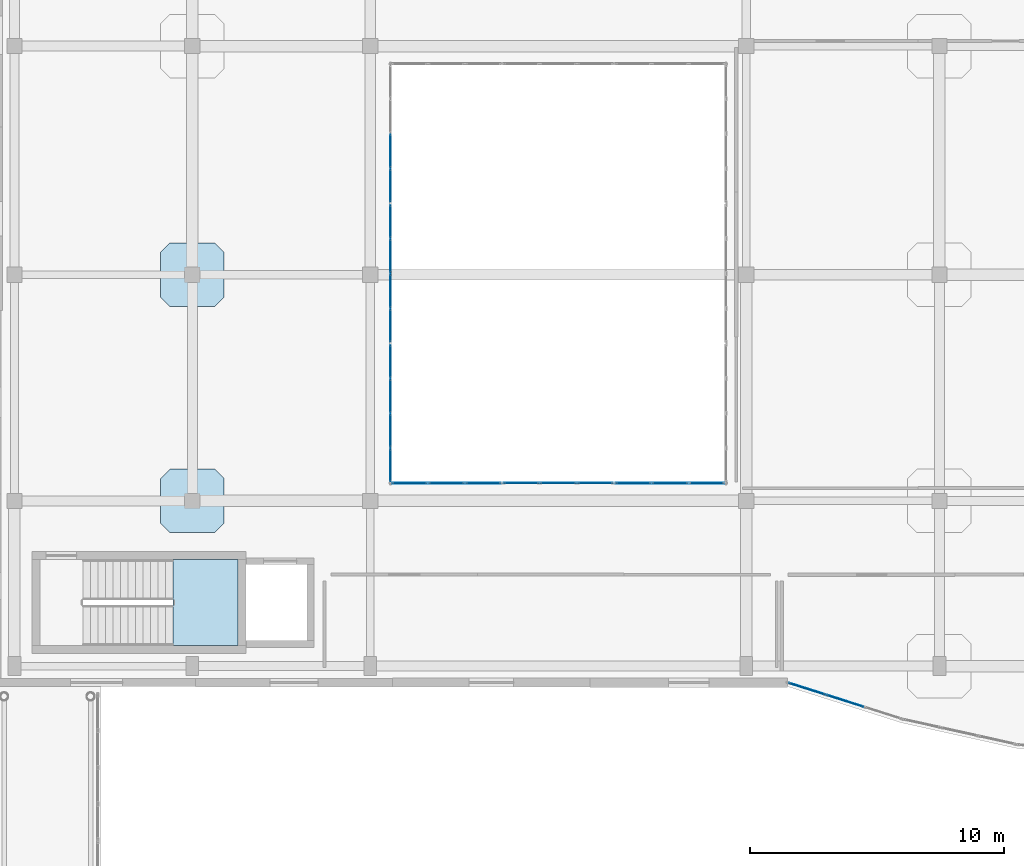
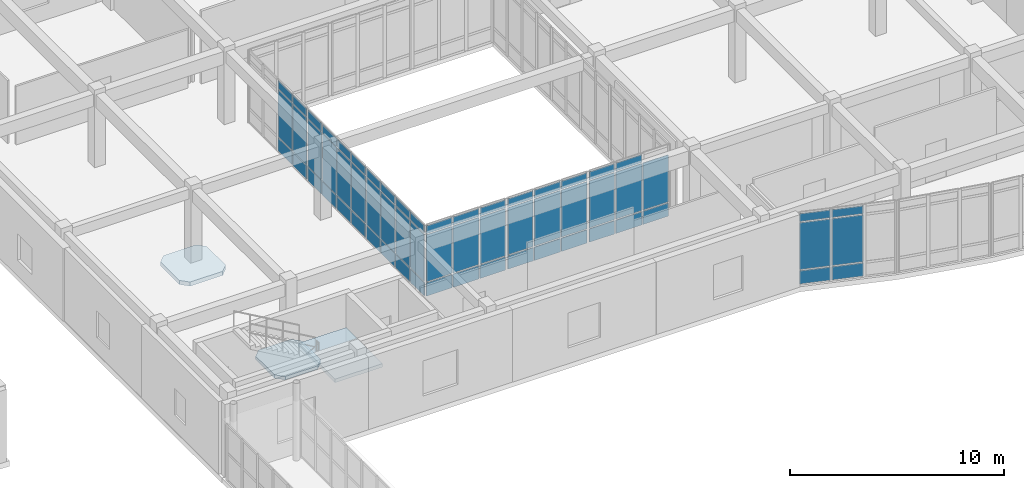
# One storey, part 110 of 142: 62 plates, 3 slabs, 8 elements without a shape of their own.
"""IFC4 building model written with IfcOpenShell, lengths in metres."""

import ifcopenshell
import ifcopenshell.guid

model = None  # the IFC model being written
_history = None  # IfcOwnerHistory: only IFC2X3 demands one
_inside = {}  # id of a spatial element -> (the spatial element, [elements in it])
_under = {}  # id of a project, library or spatial element -> (it, [spatial elements below it])
_declared = {}  # id of a project -> (the project, [libraries it declares])
_typed = {}  # id of a type object -> (the type object, [elements of that type])
_made_of = {}  # id of a material, layer set ... -> (it, [elements and type objects made of it])


def new_model(schema):
    """Start an empty IFC model of exactly this schema.

    Asked for "IFC4X3", IfcOpenShell would pick the latest addendum, in which some entities
    have other attributes; the version numbers below select the first issue.
    IFC2X3 requires an IfcOwnerHistory on every rooted entity: one is made here for all.
    """
    global model, _history
    if schema == "IFC4X3":
        model = ifcopenshell.file(schema_version=(4, 3, 0, 0))
    else:
        model = ifcopenshell.file(schema=schema)
    _inside.clear()
    _under.clear()
    _declared.clear()
    _typed.clear()
    _made_of.clear()
    _history = None
    if model.schema == "IFC2X3":
        org = make("IfcOrganization", Name="unknown")
        user = make(
            "IfcPersonAndOrganization",
            ThePerson=make("IfcPerson", FamilyName="unknown"),
            TheOrganization=org,
        )
        app = make(
            "IfcApplication",
            ApplicationDeveloper=org,
            Version="unknown",
            ApplicationFullName="unknown",
            ApplicationIdentifier="unknown",
        )
        _history = make(
            "IfcOwnerHistory",
            OwningUser=user,
            OwningApplication=app,
            ChangeAction="ADDED",
            CreationDate=0,
        )
    return model


def make(cls, **values):
    """One entity of the class cls with the attributes given. An attribute that is None is left unset."""
    return model.create_entity(
        cls, **{name: value for name, value in values.items() if value is not None}
    )


def rooted(cls, **values):
    """An entity with a GlobalId (a new one), such as an element, a storey or a relation."""
    return make(cls, GlobalId=ifcopenshell.guid.new(), OwnerHistory=_history, **values)


def si_unit(unit_type, name, prefix=None):
    """IfcSIUnit, for example si_unit("LENGTHUNIT", "METRE", prefix="MILLI")."""
    return make("IfcSIUnit", UnitType=unit_type, Prefix=prefix, Name=name)


def assignment(units):
    """IfcUnitAssignment: the units of a project."""
    return None if units is None else make("IfcUnitAssignment", Units=units)


def point(xyz):
    """IfcCartesianPoint."""
    return None if xyz is None else make("IfcCartesianPoint", Coordinates=xyz)


def direction(xyz):
    """IfcDirection."""
    return None if xyz is None else make("IfcDirection", DirectionRatios=xyz)


def frame(location, z_axis=None, x_axis=None):
    """IfcAxis2Placement3D, a coordinate frame: its origin and axes. An axis left out is left unset."""
    return make(
        "IfcAxis2Placement3D",
        Location=point(location),
        Axis=direction(z_axis),
        RefDirection=direction(x_axis),
    )


def frame_2d(location, x_axis=None):
    """IfcAxis2Placement2D, a coordinate frame in the plane: its origin and x axis."""
    return make(
        "IfcAxis2Placement2D", Location=point(location), RefDirection=direction(x_axis)
    )


def origin():
    """The frame at (0, 0, 0) with its axes left unset."""
    return frame((0.0, 0.0, 0.0))


def origin_2d():
    """The frame at (0, 0) in the plane with its x axis left unset."""
    return frame_2d((0.0, 0.0))


def place(relative_to, where):
    """IfcLocalPlacement: puts the frame where relative to a parent placement (None: the world)."""
    return make(
        "IfcLocalPlacement", PlacementRelTo=relative_to, RelativePlacement=where
    )


def context(
    kind, dimensions, precision=None, world=None, true_north=None, identifier=None
):
    """IfcGeometricRepresentationContext, for example the 3D "Model" context."""
    return make(
        "IfcGeometricRepresentationContext",
        ContextIdentifier=identifier,
        ContextType=kind,
        CoordinateSpaceDimension=dimensions,
        Precision=precision,
        WorldCoordinateSystem=world,
        TrueNorth=true_north,
    )


def subcontext(parent, identifier, kind, view, scale=None):
    """IfcGeometricRepresentationSubContext, for example "Body" below "Model"."""
    return make(
        "IfcGeometricRepresentationSubContext",
        ContextIdentifier=identifier,
        ContextType=kind,
        ParentContext=parent,
        TargetScale=scale,
        TargetView=view,
    )


def project(units=None, contexts=None):
    """IfcProject with its units and contexts."""
    return rooted(
        "IfcProject",
        Name="project",
        RepresentationContexts=contexts,
        UnitsInContext=assignment(units),
    )


def spatial(cls, under=None, at=None, **own):
    """A site, building, storey or space (cls), placed at a placement, below another one or the project."""
    s = rooted(cls, ObjectPlacement=at, **own)
    if under is not None:
        _under.setdefault(under.id(), (under, []))[1].append(s)
    return s


def polyline(points):
    """IfcPolyline through the points."""
    return make("IfcPolyline", Points=[point(p) for p in points])


def profile(cls, at=None, kind="AREA", **sizes):
    """A parametric profile (cls). Its sizes go by their IFC names, for example OverallWidth=200.0."""
    return make(cls, ProfileType=kind, Position=at, **sizes)


def rectangle(**sizes):
    """IfcRectangleProfileDef."""
    return profile("IfcRectangleProfileDef", **sizes)


def outline(outer, holes=None, kind="AREA"):
    """IfcArbitraryClosedProfileDef: a profile drawn as a closed curve; with holes, ...WithVoids."""
    if holes is None:
        return make("IfcArbitraryClosedProfileDef", ProfileType=kind, OuterCurve=outer)
    return make(
        "IfcArbitraryProfileDefWithVoids",
        ProfileType=kind,
        OuterCurve=outer,
        InnerCurves=holes,
    )


def extrude(swept, where, along, depth):
    """IfcExtrudedAreaSolid: the profile swept, set in the frame where, extruded along a direction by depth."""
    return make(
        "IfcExtrudedAreaSolid",
        SweptArea=swept,
        Position=where,
        ExtrudedDirection=direction(along),
        Depth=depth,
    )


def shape(context_of_items, identifier, shape_type, items):
    """IfcShapeRepresentation: the items that make up one representation, for example the "Body"."""
    return make(
        "IfcShapeRepresentation",
        ContextOfItems=context_of_items,
        RepresentationIdentifier=identifier,
        RepresentationType=shape_type,
        Items=items,
    )


def material(Name=None, Category=None):
    """IfcMaterial."""
    return make("IfcMaterial", Name=Name, Category=Category)


def layer(
    of_material, thickness, ventilated=None, Name=None, Category=None, Priority=None
):
    """IfcMaterialLayer: one layer of a wall or slab, of a material (None: an air gap)."""
    return make(
        "IfcMaterialLayer",
        Material=of_material,
        LayerThickness=thickness,
        IsVentilated=ventilated,
        Name=Name,
        Category=Category,
        Priority=Priority,
    )


def layer_set(layers, Name=None):
    """IfcMaterialLayerSet."""
    return make("IfcMaterialLayerSet", MaterialLayers=layers, LayerSetName=Name)


def made_of(thing, what):
    """Note that an element or type object is made of a material, layer set ...; save() writes the relation."""
    if what is not None:
        _made_of.setdefault(what.id(), (what, []))[1].append(thing)
    return thing


def type_object(cls, material=None, **own):
    """A type object (cls), such as IfcWallType, which elements share."""
    return made_of(rooted(cls, **own), material)


def element(
    cls,
    number,
    at=None,
    inside=None,
    cuts=None,
    type_object=None,
    material=None,
    context=None,
    identifier="Body",
    shape_type=None,
    held_by="IfcProductDefinitionShape",
    body=None,
    shapes=None,
    **own,
):
    """One element of the class cls, such as IfcWall. Its Tag is "e" and its number.

    at: its placement. inside: the storey or other place that contains it. cuts: it is an
    opening in that element (IfcRelVoidsElement). A single representation is given by context,
    identifier, shape_type and body (its items); several are given by shapes. held_by: the class
    of the entity that holds the representations. save() writes the other relations.
    """
    e = rooted(cls, Tag="e%d" % number, ObjectPlacement=at, **own)
    if body is not None:
        shapes = [shape(context, identifier, shape_type, body)]
    if shapes is not None:
        e.Representation = make(held_by, Representations=shapes)
    if inside is not None:
        _inside.setdefault(inside.id(), (inside, []))[1].append(e)
    if cuts is not None:
        rooted(
            "IfcRelVoidsElement", RelatingBuildingElement=cuts, RelatedOpeningElement=e
        )
    if type_object is not None:
        _typed.setdefault(type_object.id(), (type_object, []))[1].append(e)
    return made_of(e, material)


def aggregate(whole, parts):
    """IfcRelAggregates: a whole, such as a stair, and the parts it consists of."""
    return rooted("IfcRelAggregates", RelatingObject=whole, RelatedObjects=parts)


def save(model, path):
    """Write the relations noted so far, then the file.

    IfcRelAggregates (storeys below a building ...), IfcRelContainedInSpatialStructure (elements
    in a storey), IfcRelDefinesByType, IfcRelAssociatesMaterial and IfcRelDeclares: one each for
    every whole, place, type object, material and project.
    """
    for whole, parts in _under.values():
        aggregate(whole, parts)
    for where, things in _inside.values():
        rooted(
            "IfcRelContainedInSpatialStructure",
            RelatedElements=things,
            RelatingStructure=where,
        )
    for kind, things in _typed.values():
        rooted("IfcRelDefinesByType", RelatedObjects=things, RelatingType=kind)
    for what, things in _made_of.values():
        rooted("IfcRelAssociatesMaterial", RelatedObjects=things, RelatingMaterial=what)
    for by, libraries in _declared.values():
        rooted("IfcRelDeclares", RelatingContext=by, RelatedDefinitions=libraries)
    model.write(path)


model = new_model("IFC4")

# Units and contexts
model_context = context("Model", 3, precision=1e-05, world=origin(), true_north=direction((0.0, 1.0)))
body_context = subcontext(model_context, "Body", "Model", "MODEL_VIEW")
ifc_project = project(units=[si_unit("LENGTHUNIT", "METRE"), si_unit("AREAUNIT", "SQUARE_METRE"), si_unit("VOLUMEUNIT", "CUBIC_METRE"), si_unit("PLANEANGLEUNIT", "RADIAN"), si_unit("MASSUNIT", "GRAM", prefix="KILO")], contexts=[model_context])

# Site, building, storey
site_placement = place(None, origin())
site = spatial("IfcSite", under=ifc_project, at=site_placement, CompositionType="ELEMENT")
building_placement = place(site_placement, origin())
building = spatial("IfcBuilding", under=site, at=building_placement, Name="Valcora Specialist Clinic", CompositionType="ELEMENT")
storey_placement = place(building_placement, frame((0.0, 0.0, 5.10009765625)))
storey = spatial("IfcBuildingStorey", under=building, at=storey_placement, Name="L01", CompositionType="ELEMENT", Elevation=5.10009765625)

# Curtain wall, plates
ifc_material_1 = material(Name="Anodized Bronze Aluminium 6063-T6", Category="aluminium")
ifc_layer_1 = layer(ifc_material_1, 0.175048828125)
ifc_layer_set_1 = layer_set([ifc_layer_1], Name="Anodized Bronze Aluminium 6063-T6")
curtain_wall_type_1 = type_object("IfcCurtainWallType", Name="TY-CW-ARC44", PredefinedType="NOTDEFINED", material=ifc_layer_set_1)
curtain_wall_1_placement = place(storey_placement, origin())
curtain_wall_1 = element("IfcCurtainWall", 1, at=curtain_wall_1_placement, inside=storey, type_object=curtain_wall_type_1, Name="Curtain wall CW-L01-060", PredefinedType="NOTDEFINED")
ifc_material_2 = material(Name="Low-E Laminated Insulating Glass", Category="glass")
ifc_layer_2 = layer(ifc_material_2, 0.028076171875)
ifc_layer_set_2 = layer_set([ifc_layer_2], Name="Low-E Laminated Insulating Glass")
plate_type_1 = type_object("IfcPlateType", Name="TY-CWP-GLZ28", PredefinedType="CURTAIN_PANEL", material=ifc_layer_set_2)
plate_1_placement = place(storey_placement, frame((94.68115234375, 73.431396484375, 0.88232421875), z_axis=(0.0, 0.0, 1.0), x_axis=(-0.952916356972, 0.303233270958, 0.0)))
plate_1 = element("IfcPlate", 2, at=plate_1_placement, type_object=plate_type_1, Name="CW-ARC-44 panel 2.2", PredefinedType="CURTAIN_PANEL", context=body_context, shape_type="SweptSolid", body=[
    extrude(rectangle(XDim=1.5146484375, YDim=0.028076171875, at=origin_2d()), origin(), (0.0, 0.0, 1.0), 2.679931640625),
])
plate_2_placement = place(storey_placement, frame((94.68115234375, 73.431396484375, 3.62744140625), z_axis=(0.0, 0.0, 1.0), x_axis=(-0.952916356972, 0.303233270958, 0.0)))
plate_2 = element("IfcPlate", 3, at=plate_2_placement, type_object=plate_type_1, Name="CW-ARC-44 panel 2.3", PredefinedType="CURTAIN_PANEL", context=body_context, shape_type="SweptSolid", body=[
    extrude(rectangle(XDim=1.5146484375, YDim=0.028076171875, at=origin_2d()), origin(), (0.0, 0.0, 1.0), 0.452392578125),
])
plate_3_placement = place(storey_placement, frame((93.19140625, 73.905517578125, 0.88232421875), z_axis=(0.0, 0.0, 1.0), x_axis=(-0.952916356972, 0.303233270958, 0.0)))
plate_3 = element("IfcPlate", 4, at=plate_3_placement, type_object=plate_type_1, Name="CW-ARC-44 panel 3.2", PredefinedType="CURTAIN_PANEL", context=body_context, shape_type="SweptSolid", body=[
    extrude(rectangle(XDim=1.482177734375, YDim=0.028076171875, at=origin_2d()), origin(), (0.0, 0.0, 1.0), 2.679931640625),
])
plate_4_placement = place(storey_placement, frame((93.19140625, 73.905517578125, 3.62744140625), z_axis=(0.0, 0.0, 1.0), x_axis=(-0.952916356972, 0.303233270958, 0.0)))
plate_4 = element("IfcPlate", 5, at=plate_4_placement, type_object=plate_type_1, Name="CW-ARC-44 panel 3.3", PredefinedType="CURTAIN_PANEL", context=body_context, shape_type="SweptSolid", body=[
    extrude(rectangle(XDim=1.482177734375, YDim=0.028076171875, at=origin_2d()), origin(), (0.0, 0.0, 1.0), 0.452392578125),
])

ifc_layer_3 = layer(ifc_material_1, 0.175048828125)
ifc_layer_set_3 = layer_set([ifc_layer_3], Name="Anodized Bronze Aluminium 6063-T6")
curtain_wall_type_2 = type_object("IfcCurtainWallType", Name="TY-CW-CRT15", PredefinedType="NOTDEFINED", material=ifc_layer_set_3)
curtain_wall_2_placement = place(storey_placement, origin())
curtain_wall_2 = element("IfcCurtainWall", 6, at=curtain_wall_2_placement, inside=storey, type_object=curtain_wall_type_2, Name="Curtain wall CW-L01-062", PredefinedType="NOTDEFINED")
plate_5_placement = place(storey_placement, frame((81.949462890625, 82.0, 0.88232421875), z_axis=(0.0, 0.0, 1.0), x_axis=(1.0, 0.0, 0.0)))
plate_5 = element("IfcPlate", 7, at=plate_5_placement, type_object=plate_type_1, Name="CW-CRT-15 panel 1.2", PredefinedType="CURTAIN_PANEL", context=body_context, shape_type="SweptSolid", body=[
    extrude(rectangle(XDim=1.369140625, YDim=0.028076171875, at=origin_2d()), origin(), (0.0, 0.0, 1.0), 2.679931640625),
])
plate_6_placement = place(storey_placement, frame((81.949462890625, 82.0, 3.62744140625), z_axis=(0.0, 0.0, 1.0), x_axis=(1.0, 0.0, 0.0)))
plate_6 = element("IfcPlate", 8, at=plate_6_placement, type_object=plate_type_1, Name="CW-CRT-15 panel 1.3", PredefinedType="CURTAIN_PANEL", context=body_context, shape_type="SweptSolid", body=[
    extrude(rectangle(XDim=1.369140625, YDim=0.028076171875, at=origin_2d()), origin(), (0.0, 0.0, 1.0), 0.452392578125),
])
plate_7_placement = place(storey_placement, frame((83.39990234375, 82.0, 0.88232421875), z_axis=(0.0, 0.0, 1.0), x_axis=(1.0, 0.0, 0.0)))
plate_7 = element("IfcPlate", 9, at=plate_7_placement, type_object=plate_type_1, Name="CW-CRT-15 panel 2.2", PredefinedType="CURTAIN_PANEL", context=body_context, shape_type="SweptSolid", body=[
    extrude(rectangle(XDim=1.401611328125, YDim=0.028076171875, at=origin_2d()), origin(), (0.0, 0.0, 1.0), 2.679931640625),
])
plate_8_placement = place(storey_placement, frame((83.39990234375, 82.0, 3.62744140625), z_axis=(0.0, 0.0, 1.0), x_axis=(1.0, 0.0, 0.0)))
plate_8 = element("IfcPlate", 10, at=plate_8_placement, type_object=plate_type_1, Name="CW-CRT-15 panel 2.3", PredefinedType="CURTAIN_PANEL", context=body_context, shape_type="SweptSolid", body=[
    extrude(rectangle(XDim=1.401611328125, YDim=0.028076171875, at=origin_2d()), origin(), (0.0, 0.0, 1.0), 0.452392578125),
])
plate_9_placement = place(storey_placement, frame((84.850341796875, 82.0, 0.88232421875), z_axis=(0.0, 0.0, 1.0), x_axis=(1.0, 0.0, 0.0)))
plate_9 = element("IfcPlate", 11, at=plate_9_placement, type_object=plate_type_1, Name="CW-CRT-15 panel 3.2", PredefinedType="CURTAIN_PANEL", context=body_context, shape_type="SweptSolid", body=[
    extrude(rectangle(XDim=1.369140625, YDim=0.028076171875, at=origin_2d()), origin(), (0.0, 0.0, 1.0), 2.679931640625),
])
plate_10_placement = place(storey_placement, frame((84.850341796875, 82.0, 3.62744140625), z_axis=(0.0, 0.0, 1.0), x_axis=(1.0, 0.0, 0.0)))
plate_10 = element("IfcPlate", 12, at=plate_10_placement, type_object=plate_type_1, Name="CW-CRT-15 panel 3.3", PredefinedType="CURTAIN_PANEL", context=body_context, shape_type="SweptSolid", body=[
    extrude(rectangle(XDim=1.369140625, YDim=0.028076171875, at=origin_2d()), origin(), (0.0, 0.0, 1.0), 0.452392578125),
])

curtain_wall_3_placement = place(storey_placement, origin())
curtain_wall_3 = element("IfcCurtainWall", 13, at=curtain_wall_3_placement, inside=storey, type_object=curtain_wall_type_2, Name="Curtain wall CW-L01-070", PredefinedType="NOTDEFINED")
plate_11_placement = place(storey_placement, frame((76.800048828125, 95.0625, 0.88232421875), z_axis=(0.0, 0.0, 1.0), x_axis=(0.0, -1.0, 0.0)))
plate_11 = element("IfcPlate", 14, at=plate_11_placement, type_object=plate_type_1, Name="CW-CRT-15 panel 3.2", PredefinedType="CURTAIN_PANEL", context=body_context, shape_type="SweptSolid", body=[
    extrude(rectangle(XDim=1.31005859375, YDim=0.028076171875, at=origin_2d()), origin(), (0.0, 0.0, 1.0), 2.679931640625),
])
plate_12_placement = place(storey_placement, frame((76.800048828125, 95.0625, 3.62744140625), z_axis=(0.0, 0.0, 1.0), x_axis=(0.0, -1.0, 0.0)))
plate_12 = element("IfcPlate", 15, at=plate_12_placement, type_object=plate_type_1, Name="CW-CRT-15 panel 3.3", PredefinedType="CURTAIN_PANEL", context=body_context, shape_type="SweptSolid", body=[
    extrude(rectangle(XDim=1.31005859375, YDim=0.028076171875, at=origin_2d()), origin(), (0.0, 0.0, 1.0), 0.452392578125),
])
plate_13_placement = place(storey_placement, frame((76.800048828125, 93.703857421875, 0.88232421875), z_axis=(0.0, 0.0, 1.0), x_axis=(0.0, -1.0, 0.0)))
plate_13 = element("IfcPlate", 16, at=plate_13_placement, type_object=plate_type_1, Name="CW-CRT-15 panel 4.2", PredefinedType="CURTAIN_PANEL", context=body_context, shape_type="SweptSolid", body=[
    extrude(rectangle(XDim=1.277587890625, YDim=0.028076171875, at=origin_2d()), origin(), (0.0, 0.0, 1.0), 2.679931640625),
])
plate_14_placement = place(storey_placement, frame((76.800048828125, 93.703857421875, 3.62744140625), z_axis=(0.0, 0.0, 1.0), x_axis=(0.0, -1.0, 0.0)))
plate_14 = element("IfcPlate", 17, at=plate_14_placement, type_object=plate_type_1, Name="CW-CRT-15 panel 4.3", PredefinedType="CURTAIN_PANEL", context=body_context, shape_type="SweptSolid", body=[
    extrude(rectangle(XDim=1.277587890625, YDim=0.028076171875, at=origin_2d()), origin(), (0.0, 0.0, 1.0), 0.452392578125),
])

curtain_wall_4_placement = place(storey_placement, origin())
curtain_wall_4 = element("IfcCurtainWall", 18, at=curtain_wall_4_placement, inside=storey, type_object=curtain_wall_type_2, Name="Curtain wall CW-L01-072", PredefinedType="NOTDEFINED")
plate_15_placement = place(storey_placement, frame((76.800048828125, 86.796142578125, 0.88232421875), z_axis=(0.0, 0.0, 1.0), x_axis=(0.0, -1.0, 0.0)))
plate_15 = element("IfcPlate", 19, at=plate_15_placement, type_object=plate_type_1, Name="CW-CRT-15 panel 1.2", PredefinedType="CURTAIN_PANEL", context=body_context, shape_type="SweptSolid", body=[
    extrude(rectangle(XDim=1.277587890625, YDim=0.028076171875, at=origin_2d()), origin(), (0.0, 0.0, 1.0), 2.679931640625),
])
plate_16_placement = place(storey_placement, frame((76.800048828125, 86.796142578125, 3.62744140625), z_axis=(0.0, 0.0, 1.0), x_axis=(0.0, -1.0, 0.0)))
plate_16 = element("IfcPlate", 20, at=plate_16_placement, type_object=plate_type_1, Name="CW-CRT-15 panel 1.3", PredefinedType="CURTAIN_PANEL", context=body_context, shape_type="SweptSolid", body=[
    extrude(rectangle(XDim=1.277587890625, YDim=0.028076171875, at=origin_2d()), origin(), (0.0, 0.0, 1.0), 0.452392578125),
])
plate_17_placement = place(storey_placement, frame((76.800048828125, 85.4375, 0.88232421875), z_axis=(0.0, 0.0, 1.0), x_axis=(0.0, -1.0, 0.0)))
plate_17 = element("IfcPlate", 21, at=plate_17_placement, type_object=plate_type_1, Name="CW-CRT-15 panel 2.2", PredefinedType="CURTAIN_PANEL", context=body_context, shape_type="SweptSolid", body=[
    extrude(rectangle(XDim=1.31005859375, YDim=0.028076171875, at=origin_2d()), origin(), (0.0, 0.0, 1.0), 2.679931640625),
])
plate_18_placement = place(storey_placement, frame((76.800048828125, 85.4375, 3.62744140625), z_axis=(0.0, 0.0, 1.0), x_axis=(0.0, -1.0, 0.0)))
plate_18 = element("IfcPlate", 22, at=plate_18_placement, type_object=plate_type_1, Name="CW-CRT-15 panel 2.3", PredefinedType="CURTAIN_PANEL", context=body_context, shape_type="SweptSolid", body=[
    extrude(rectangle(XDim=1.31005859375, YDim=0.028076171875, at=origin_2d()), origin(), (0.0, 0.0, 1.0), 0.452392578125),
])
plate_19_placement = place(storey_placement, frame((76.800048828125, 84.0625, 0.88232421875), z_axis=(0.0, 0.0, 1.0), x_axis=(0.0, -1.0, 0.0)))
plate_19 = element("IfcPlate", 23, at=plate_19_placement, type_object=plate_type_1, Name="CW-CRT-15 panel 3.2", PredefinedType="CURTAIN_PANEL", context=body_context, shape_type="SweptSolid", body=[
    extrude(rectangle(XDim=1.31005859375, YDim=0.028076171875, at=origin_2d()), origin(), (0.0, 0.0, 1.0), 2.679931640625),
])
plate_20_placement = place(storey_placement, frame((76.800048828125, 84.0625, 3.62744140625), z_axis=(0.0, 0.0, 1.0), x_axis=(0.0, -1.0, 0.0)))
plate_20 = element("IfcPlate", 24, at=plate_20_placement, type_object=plate_type_1, Name="CW-CRT-15 panel 3.3", PredefinedType="CURTAIN_PANEL", context=body_context, shape_type="SweptSolid", body=[
    extrude(rectangle(XDim=1.31005859375, YDim=0.028076171875, at=origin_2d()), origin(), (0.0, 0.0, 1.0), 0.452392578125),
])
plate_21_placement = place(storey_placement, frame((76.800048828125, 82.703857421875, 0.88232421875), z_axis=(0.0, 0.0, 1.0), x_axis=(0.0, -1.0, 0.0)))
plate_21 = element("IfcPlate", 25, at=plate_21_placement, type_object=plate_type_1, Name="CW-CRT-15 panel 4.2", PredefinedType="CURTAIN_PANEL", context=body_context, shape_type="SweptSolid", body=[
    extrude(rectangle(XDim=1.277587890625, YDim=0.028076171875, at=origin_2d()), origin(), (0.0, 0.0, 1.0), 2.679931640625),
])
plate_22_placement = place(storey_placement, frame((76.800048828125, 82.703857421875, 3.62744140625), z_axis=(0.0, 0.0, 1.0), x_axis=(0.0, -1.0, 0.0)))
plate_22 = element("IfcPlate", 26, at=plate_22_placement, type_object=plate_type_1, Name="CW-CRT-15 panel 4.3", PredefinedType="CURTAIN_PANEL", context=body_context, shape_type="SweptSolid", body=[
    extrude(rectangle(XDim=1.277587890625, YDim=0.028076171875, at=origin_2d()), origin(), (0.0, 0.0, 1.0), 0.452392578125),
])

curtain_wall_5_placement = place(storey_placement, origin())
curtain_wall_5 = element("IfcCurtainWall", 27, at=curtain_wall_5_placement, inside=storey, type_object=curtain_wall_type_2, Name="Curtain wall CW-L01-061", PredefinedType="NOTDEFINED")
ifc_layer_4 = layer(ifc_material_2, 0.033935546875)
ifc_layer_set_4 = layer_set([ifc_layer_4], Name="Low-E Laminated Insulating Glass")
plate_type_2 = type_object("IfcPlateType", Name="TY-CWP-GLZ34", PredefinedType="CURTAIN_PANEL", material=ifc_layer_set_4)
plate_23_placement = place(storey_placement, frame((77.549560546875, 82.0, 0.88232421875), z_axis=(0.0, 0.0, 1.0), x_axis=(1.0, 0.0, 0.0)))
plate_23 = element("IfcPlate", 28, at=plate_23_placement, type_object=plate_type_2, Name="CW-CRT-15 panel 1.2", PredefinedType="CURTAIN_PANEL", context=body_context, shape_type="SweptSolid", body=[
    extrude(rectangle(XDim=1.369140625, YDim=0.033935546875, at=origin_2d()), origin(), (0.0, 0.0, 1.0), 2.679931640625),
])
plate_24_placement = place(storey_placement, frame((77.549560546875, 82.0, 3.62744140625), z_axis=(0.0, 0.0, 1.0), x_axis=(1.0, 0.0, 0.0)))
plate_24 = element("IfcPlate", 29, at=plate_24_placement, type_object=plate_type_2, Name="CW-CRT-15 panel 1.3", PredefinedType="CURTAIN_PANEL", context=body_context, shape_type="SweptSolid", body=[
    extrude(rectangle(XDim=1.369140625, YDim=0.033935546875, at=origin_2d()), origin(), (0.0, 0.0, 1.0), 0.452392578125),
])
plate_25_placement = place(storey_placement, frame((79.0, 82.0, 0.88232421875), z_axis=(0.0, 0.0, 1.0), x_axis=(1.0, 0.0, 0.0)))
plate_25 = element("IfcPlate", 30, at=plate_25_placement, type_object=plate_type_2, Name="CW-CRT-15 panel 2.2", PredefinedType="CURTAIN_PANEL", context=body_context, shape_type="SweptSolid", body=[
    extrude(rectangle(XDim=1.401611328125, YDim=0.033935546875, at=origin_2d()), origin(), (0.0, 0.0, 1.0), 2.679931640625),
])
plate_26_placement = place(storey_placement, frame((79.0, 82.0, 3.62744140625), z_axis=(0.0, 0.0, 1.0), x_axis=(1.0, 0.0, 0.0)))
plate_26 = element("IfcPlate", 31, at=plate_26_placement, type_object=plate_type_2, Name="CW-CRT-15 panel 2.3", PredefinedType="CURTAIN_PANEL", context=body_context, shape_type="SweptSolid", body=[
    extrude(rectangle(XDim=1.401611328125, YDim=0.033935546875, at=origin_2d()), origin(), (0.0, 0.0, 1.0), 0.452392578125),
])
plate_27_placement = place(storey_placement, frame((80.450439453125, 82.0, 0.88232421875), z_axis=(0.0, 0.0, 1.0), x_axis=(1.0, 0.0, 0.0)))
plate_27 = element("IfcPlate", 32, at=plate_27_placement, type_object=plate_type_2, Name="CW-CRT-15 panel 3.2", PredefinedType="CURTAIN_PANEL", context=body_context, shape_type="SweptSolid", body=[
    extrude(rectangle(XDim=1.369140625, YDim=0.033935546875, at=origin_2d()), origin(), (0.0, 0.0, 1.0), 2.679931640625),
])
plate_28_placement = place(storey_placement, frame((80.450439453125, 82.0, 3.62744140625), z_axis=(0.0, 0.0, 1.0), x_axis=(1.0, 0.0, 0.0)))
plate_28 = element("IfcPlate", 33, at=plate_28_placement, type_object=plate_type_2, Name="CW-CRT-15 panel 3.3", PredefinedType="CURTAIN_PANEL", context=body_context, shape_type="SweptSolid", body=[
    extrude(rectangle(XDim=1.369140625, YDim=0.033935546875, at=origin_2d()), origin(), (0.0, 0.0, 1.0), 0.452392578125),
])

curtain_wall_6_placement = place(storey_placement, origin())
curtain_wall_6 = element("IfcCurtainWall", 34, at=curtain_wall_6_placement, inside=storey, type_object=curtain_wall_type_2, Name="Curtain wall CW-L01-063", PredefinedType="NOTDEFINED")
plate_29_placement = place(storey_placement, frame((86.349609375, 82.0, 0.88232421875), z_axis=(0.0, 0.0, 1.0), x_axis=(1.0, 0.0, 0.0)))
plate_29 = element("IfcPlate", 35, at=plate_29_placement, type_object=plate_type_2, Name="CW-CRT-15 panel 1.2", PredefinedType="CURTAIN_PANEL", context=body_context, shape_type="SweptSolid", body=[
    extrude(rectangle(XDim=1.369140625, YDim=0.033935546875, at=origin_2d()), origin(), (0.0, 0.0, 1.0), 2.679931640625),
])
plate_30_placement = place(storey_placement, frame((86.349609375, 82.0, 3.62744140625), z_axis=(0.0, 0.0, 1.0), x_axis=(1.0, 0.0, 0.0)))
plate_30 = element("IfcPlate", 36, at=plate_30_placement, type_object=plate_type_2, Name="CW-CRT-15 panel 1.3", PredefinedType="CURTAIN_PANEL", context=body_context, shape_type="SweptSolid", body=[
    extrude(rectangle(XDim=1.369140625, YDim=0.033935546875, at=origin_2d()), origin(), (0.0, 0.0, 1.0), 0.452392578125),
])
plate_31_placement = place(storey_placement, frame((87.800048828125, 82.0, 0.88232421875), z_axis=(0.0, 0.0, 1.0), x_axis=(1.0, 0.0, 0.0)))
plate_31 = element("IfcPlate", 37, at=plate_31_placement, type_object=plate_type_2, Name="CW-CRT-15 panel 2.2", PredefinedType="CURTAIN_PANEL", context=body_context, shape_type="SweptSolid", body=[
    extrude(rectangle(XDim=1.401611328125, YDim=0.033935546875, at=origin_2d()), origin(), (0.0, 0.0, 1.0), 2.679931640625),
])
plate_32_placement = place(storey_placement, frame((87.800048828125, 82.0, 3.62744140625), z_axis=(0.0, 0.0, 1.0), x_axis=(1.0, 0.0, 0.0)))
plate_32 = element("IfcPlate", 38, at=plate_32_placement, type_object=plate_type_2, Name="CW-CRT-15 panel 2.3", PredefinedType="CURTAIN_PANEL", context=body_context, shape_type="SweptSolid", body=[
    extrude(rectangle(XDim=1.401611328125, YDim=0.033935546875, at=origin_2d()), origin(), (0.0, 0.0, 1.0), 0.452392578125),
])
plate_33_placement = place(storey_placement, frame((89.25048828125, 82.0, 0.88232421875), z_axis=(0.0, 0.0, 1.0), x_axis=(1.0, 0.0, 0.0)))
plate_33 = element("IfcPlate", 39, at=plate_33_placement, type_object=plate_type_2, Name="CW-CRT-15 panel 3.2", PredefinedType="CURTAIN_PANEL", context=body_context, shape_type="SweptSolid", body=[
    extrude(rectangle(XDim=1.369140625, YDim=0.033935546875, at=origin_2d()), origin(), (0.0, 0.0, 1.0), 2.679931640625),
])

curtain_wall_7_placement = place(storey_placement, origin())
curtain_wall_7 = element("IfcCurtainWall", 40, at=curtain_wall_7_placement, inside=storey, type_object=curtain_wall_type_2, Name="Curtain wall CW-L01-071", PredefinedType="NOTDEFINED")
plate_34_placement = place(storey_placement, frame((76.800048828125, 92.296142578125, 0.88232421875), z_axis=(0.0, 0.0, 1.0), x_axis=(0.0, -1.0, 0.0)))
plate_34 = element("IfcPlate", 41, at=plate_34_placement, type_object=plate_type_2, Name="CW-CRT-15 panel 1.2", PredefinedType="CURTAIN_PANEL", context=body_context, shape_type="SweptSolid", body=[
    extrude(rectangle(XDim=1.277587890625, YDim=0.033935546875, at=origin_2d()), origin(), (0.0, 0.0, 1.0), 2.679931640625),
])
plate_35_placement = place(storey_placement, frame((76.800048828125, 92.296142578125, 3.62744140625), z_axis=(0.0, 0.0, 1.0), x_axis=(0.0, -1.0, 0.0)))
plate_35 = element("IfcPlate", 42, at=plate_35_placement, type_object=plate_type_2, Name="CW-CRT-15 panel 1.3", PredefinedType="CURTAIN_PANEL", context=body_context, shape_type="SweptSolid", body=[
    extrude(rectangle(XDim=1.277587890625, YDim=0.033935546875, at=origin_2d()), origin(), (0.0, 0.0, 1.0), 0.452392578125),
])
plate_36_placement = place(storey_placement, frame((76.800048828125, 90.9375, 0.88232421875), z_axis=(0.0, 0.0, 1.0), x_axis=(0.0, -1.0, 0.0)))
plate_36 = element("IfcPlate", 43, at=plate_36_placement, type_object=plate_type_2, Name="CW-CRT-15 panel 2.2", PredefinedType="CURTAIN_PANEL", context=body_context, shape_type="SweptSolid", body=[
    extrude(rectangle(XDim=1.31005859375, YDim=0.033935546875, at=origin_2d()), origin(), (0.0, 0.0, 1.0), 2.679931640625),
])
plate_37_placement = place(storey_placement, frame((76.800048828125, 90.9375, 3.62744140625), z_axis=(0.0, 0.0, 1.0), x_axis=(0.0, -1.0, 0.0)))
plate_37 = element("IfcPlate", 44, at=plate_37_placement, type_object=plate_type_2, Name="CW-CRT-15 panel 2.3", PredefinedType="CURTAIN_PANEL", context=body_context, shape_type="SweptSolid", body=[
    extrude(rectangle(XDim=1.31005859375, YDim=0.033935546875, at=origin_2d()), origin(), (0.0, 0.0, 1.0), 0.452392578125),
])
plate_38_placement = place(storey_placement, frame((76.800048828125, 89.5625, 0.88232421875), z_axis=(0.0, 0.0, 1.0), x_axis=(0.0, -1.0, 0.0)))
plate_38 = element("IfcPlate", 45, at=plate_38_placement, type_object=plate_type_2, Name="CW-CRT-15 panel 3.2", PredefinedType="CURTAIN_PANEL", context=body_context, shape_type="SweptSolid", body=[
    extrude(rectangle(XDim=1.31005859375, YDim=0.033935546875, at=origin_2d()), origin(), (0.0, 0.0, 1.0), 2.679931640625),
])
plate_39_placement = place(storey_placement, frame((76.800048828125, 89.5625, 3.62744140625), z_axis=(0.0, 0.0, 1.0), x_axis=(0.0, -1.0, 0.0)))
plate_39 = element("IfcPlate", 46, at=plate_39_placement, type_object=plate_type_2, Name="CW-CRT-15 panel 3.3", PredefinedType="CURTAIN_PANEL", context=body_context, shape_type="SweptSolid", body=[
    extrude(rectangle(XDim=1.31005859375, YDim=0.033935546875, at=origin_2d()), origin(), (0.0, 0.0, 1.0), 0.452392578125),
])
plate_40_placement = place(storey_placement, frame((76.800048828125, 88.203857421875, 0.88232421875), z_axis=(0.0, 0.0, 1.0), x_axis=(0.0, -1.0, 0.0)))
plate_40 = element("IfcPlate", 47, at=plate_40_placement, type_object=plate_type_2, Name="CW-CRT-15 panel 4.2", PredefinedType="CURTAIN_PANEL", context=body_context, shape_type="SweptSolid", body=[
    extrude(rectangle(XDim=1.277587890625, YDim=0.033935546875, at=origin_2d()), origin(), (0.0, 0.0, 1.0), 2.679931640625),
])
plate_41_placement = place(storey_placement, frame((76.800048828125, 88.203857421875, 3.62744140625), z_axis=(0.0, 0.0, 1.0), x_axis=(0.0, -1.0, 0.0)))
plate_41 = element("IfcPlate", 48, at=plate_41_placement, type_object=plate_type_2, Name="CW-CRT-15 panel 4.3", PredefinedType="CURTAIN_PANEL", context=body_context, shape_type="SweptSolid", body=[
    extrude(rectangle(XDim=1.277587890625, YDim=0.033935546875, at=origin_2d()), origin(), (0.0, 0.0, 1.0), 0.452392578125),
])

# Plate
ifc_material_3 = material(Name="Insulated Spandrel Panel")
ifc_layer_5 = layer(ifc_material_3, 0.044921875)
ifc_layer_set_5 = layer_set([ifc_layer_5], Name="Insulated Spandrel Panel")
plate_type_3 = type_object("IfcPlateType", Name="TY-CWP-SPN45", PredefinedType="SHEET", material=ifc_layer_set_5)
plate_42_placement = place(storey_placement, frame((94.68115234375, 73.431396484375, 0.06494140625), z_axis=(0.0, 0.0, 1.0), x_axis=(-0.952916356972, 0.303233270958, 0.0)))
plate_42 = element("IfcPlate", 49, at=plate_42_placement, type_object=plate_type_3, Name="CW-ARC-44 panel 2.1", PredefinedType="SHEET", context=body_context, shape_type="SweptSolid", body=[
    extrude(rectangle(XDim=1.5146484375, YDim=0.044921875, at=origin_2d()), origin(), (0.0, 0.0, 1.0), 0.75244140625),
])

plate_43_placement = place(storey_placement, frame((93.19140625, 73.905517578125, 0.06494140625), z_axis=(0.0, 0.0, 1.0), x_axis=(-0.952916356972, 0.303233270958, 0.0)))
plate_43 = element("IfcPlate", 50, at=plate_43_placement, type_object=plate_type_3, Name="CW-ARC-44 panel 3.1", PredefinedType="SHEET", context=body_context, shape_type="SweptSolid", body=[
    extrude(rectangle(XDim=1.482177734375, YDim=0.044921875, at=origin_2d()), origin(), (0.0, 0.0, 1.0), 0.75244140625),
])

aggregate(curtain_wall_1, [plate_42, plate_1, plate_2, plate_43, plate_3, plate_4])

plate_44_placement = place(storey_placement, frame((77.549560546875, 82.0, 0.06494140625), z_axis=(0.0, 0.0, 1.0), x_axis=(1.0, 0.0, 0.0)))
plate_44 = element("IfcPlate", 51, at=plate_44_placement, type_object=plate_type_3, Name="CW-CRT-15 panel 1.1", PredefinedType="SHEET", context=body_context, shape_type="SweptSolid", body=[
    extrude(rectangle(XDim=1.369140625, YDim=0.044921875, at=origin_2d()), origin(), (0.0, 0.0, 1.0), 0.75244140625),
])

plate_45_placement = place(storey_placement, frame((79.0, 82.0, 0.06494140625), z_axis=(0.0, 0.0, 1.0), x_axis=(1.0, 0.0, 0.0)))
plate_45 = element("IfcPlate", 52, at=plate_45_placement, type_object=plate_type_3, Name="CW-CRT-15 panel 2.1", PredefinedType="SHEET", context=body_context, shape_type="SweptSolid", body=[
    extrude(rectangle(XDim=1.401611328125, YDim=0.044921875, at=origin_2d()), origin(), (0.0, 0.0, 1.0), 0.75244140625),
])

plate_46_placement = place(storey_placement, frame((80.450439453125, 82.0, 0.06494140625), z_axis=(0.0, 0.0, 1.0), x_axis=(1.0, 0.0, 0.0)))
plate_46 = element("IfcPlate", 53, at=plate_46_placement, type_object=plate_type_3, Name="CW-CRT-15 panel 3.1", PredefinedType="SHEET", context=body_context, shape_type="SweptSolid", body=[
    extrude(rectangle(XDim=1.369140625, YDim=0.044921875, at=origin_2d()), origin(), (0.0, 0.0, 1.0), 0.75244140625),
])

aggregate(curtain_wall_5, [plate_44, plate_23, plate_24, plate_45, plate_25, plate_26, plate_46, plate_27, plate_28])

plate_47_placement = place(storey_placement, frame((81.949462890625, 82.0, 0.06494140625), z_axis=(0.0, 0.0, 1.0), x_axis=(1.0, 0.0, 0.0)))
plate_47 = element("IfcPlate", 54, at=plate_47_placement, type_object=plate_type_3, Name="CW-CRT-15 panel 1.1", PredefinedType="SHEET", context=body_context, shape_type="SweptSolid", body=[
    extrude(rectangle(XDim=1.369140625, YDim=0.044921875, at=origin_2d()), origin(), (0.0, 0.0, 1.0), 0.75244140625),
])

plate_48_placement = place(storey_placement, frame((83.39990234375, 82.0, 0.06494140625), z_axis=(0.0, 0.0, 1.0), x_axis=(1.0, 0.0, 0.0)))
plate_48 = element("IfcPlate", 55, at=plate_48_placement, type_object=plate_type_3, Name="CW-CRT-15 panel 2.1", PredefinedType="SHEET", context=body_context, shape_type="SweptSolid", body=[
    extrude(rectangle(XDim=1.401611328125, YDim=0.044921875, at=origin_2d()), origin(), (0.0, 0.0, 1.0), 0.75244140625),
])

plate_49_placement = place(storey_placement, frame((84.850341796875, 82.0, 0.06494140625), z_axis=(0.0, 0.0, 1.0), x_axis=(1.0, 0.0, 0.0)))
plate_49 = element("IfcPlate", 56, at=plate_49_placement, type_object=plate_type_3, Name="CW-CRT-15 panel 3.1", PredefinedType="SHEET", context=body_context, shape_type="SweptSolid", body=[
    extrude(rectangle(XDim=1.369140625, YDim=0.044921875, at=origin_2d()), origin(), (0.0, 0.0, 1.0), 0.75244140625),
])

aggregate(curtain_wall_2, [plate_47, plate_5, plate_6, plate_48, plate_7, plate_8, plate_49, plate_9, plate_10])

plate_50_placement = place(storey_placement, frame((86.349609375, 82.0, 0.06494140625), z_axis=(0.0, 0.0, 1.0), x_axis=(1.0, 0.0, 0.0)))
plate_50 = element("IfcPlate", 57, at=plate_50_placement, type_object=plate_type_3, Name="CW-CRT-15 panel 1.1", PredefinedType="SHEET", context=body_context, shape_type="SweptSolid", body=[
    extrude(rectangle(XDim=1.369140625, YDim=0.044921875, at=origin_2d()), origin(), (0.0, 0.0, 1.0), 0.75244140625),
])

plate_51_placement = place(storey_placement, frame((87.800048828125, 82.0, 0.06494140625), z_axis=(0.0, 0.0, 1.0), x_axis=(1.0, 0.0, 0.0)))
plate_51 = element("IfcPlate", 58, at=plate_51_placement, type_object=plate_type_3, Name="CW-CRT-15 panel 2.1", PredefinedType="SHEET", context=body_context, shape_type="SweptSolid", body=[
    extrude(rectangle(XDim=1.401611328125, YDim=0.044921875, at=origin_2d()), origin(), (0.0, 0.0, 1.0), 0.75244140625),
])

plate_52_placement = place(storey_placement, frame((89.25048828125, 82.0, 0.06494140625), z_axis=(0.0, 0.0, 1.0), x_axis=(1.0, 0.0, 0.0)))
plate_52 = element("IfcPlate", 59, at=plate_52_placement, type_object=plate_type_3, Name="CW-CRT-15 panel 3.1", PredefinedType="SHEET", context=body_context, shape_type="SweptSolid", body=[
    extrude(rectangle(XDim=1.369140625, YDim=0.044921875, at=origin_2d()), origin(), (0.0, 0.0, 1.0), 0.75244140625),
])

aggregate(curtain_wall_6, [plate_50, plate_29, plate_30, plate_51, plate_31, plate_32, plate_52, plate_33])

plate_53_placement = place(storey_placement, frame((76.800048828125, 95.0625, 0.06494140625), z_axis=(0.0, 0.0, 1.0), x_axis=(0.0, -1.0, 0.0)))
plate_53 = element("IfcPlate", 60, at=plate_53_placement, type_object=plate_type_3, Name="CW-CRT-15 panel 3.1", PredefinedType="SHEET", context=body_context, shape_type="SweptSolid", body=[
    extrude(rectangle(XDim=1.31005859375, YDim=0.044921875, at=origin_2d()), origin(), (0.0, 0.0, 1.0), 0.75244140625),
])

plate_54_placement = place(storey_placement, frame((76.800048828125, 93.703857421875, 0.06494140625), z_axis=(0.0, 0.0, 1.0), x_axis=(0.0, -1.0, 0.0)))
plate_54 = element("IfcPlate", 61, at=plate_54_placement, type_object=plate_type_3, Name="CW-CRT-15 panel 4.1", PredefinedType="SHEET", context=body_context, shape_type="SweptSolid", body=[
    extrude(rectangle(XDim=1.277587890625, YDim=0.044921875, at=origin_2d()), origin(), (0.0, 0.0, 1.0), 0.75244140625),
])

aggregate(curtain_wall_3, [plate_53, plate_11, plate_12, plate_54, plate_13, plate_14])

plate_55_placement = place(storey_placement, frame((76.800048828125, 92.296142578125, 0.06494140625), z_axis=(0.0, 0.0, 1.0), x_axis=(0.0, -1.0, 0.0)))
plate_55 = element("IfcPlate", 62, at=plate_55_placement, type_object=plate_type_3, Name="CW-CRT-15 panel 1.1", PredefinedType="SHEET", context=body_context, shape_type="SweptSolid", body=[
    extrude(rectangle(XDim=1.277587890625, YDim=0.044921875, at=origin_2d()), origin(), (0.0, 0.0, 1.0), 0.75244140625),
])

plate_56_placement = place(storey_placement, frame((76.800048828125, 90.9375, 0.06494140625), z_axis=(0.0, 0.0, 1.0), x_axis=(0.0, -1.0, 0.0)))
plate_56 = element("IfcPlate", 63, at=plate_56_placement, type_object=plate_type_3, Name="CW-CRT-15 panel 2.1", PredefinedType="SHEET", context=body_context, shape_type="SweptSolid", body=[
    extrude(rectangle(XDim=1.31005859375, YDim=0.044921875, at=origin_2d()), origin(), (0.0, 0.0, 1.0), 0.75244140625),
])

plate_57_placement = place(storey_placement, frame((76.800048828125, 89.5625, 0.06494140625), z_axis=(0.0, 0.0, 1.0), x_axis=(0.0, -1.0, 0.0)))
plate_57 = element("IfcPlate", 64, at=plate_57_placement, type_object=plate_type_3, Name="CW-CRT-15 panel 3.1", PredefinedType="SHEET", context=body_context, shape_type="SweptSolid", body=[
    extrude(rectangle(XDim=1.31005859375, YDim=0.044921875, at=origin_2d()), origin(), (0.0, 0.0, 1.0), 0.75244140625),
])

plate_58_placement = place(storey_placement, frame((76.800048828125, 88.203857421875, 0.06494140625), z_axis=(0.0, 0.0, 1.0), x_axis=(0.0, -1.0, 0.0)))
plate_58 = element("IfcPlate", 65, at=plate_58_placement, type_object=plate_type_3, Name="CW-CRT-15 panel 4.1", PredefinedType="SHEET", context=body_context, shape_type="SweptSolid", body=[
    extrude(rectangle(XDim=1.277587890625, YDim=0.044921875, at=origin_2d()), origin(), (0.0, 0.0, 1.0), 0.75244140625),
])

aggregate(curtain_wall_7, [plate_55, plate_34, plate_35, plate_56, plate_36, plate_37, plate_57, plate_38, plate_39, plate_58, plate_40, plate_41])

plate_59_placement = place(storey_placement, frame((76.800048828125, 86.796142578125, 0.06494140625), z_axis=(0.0, 0.0, 1.0), x_axis=(0.0, -1.0, 0.0)))
plate_59 = element("IfcPlate", 66, at=plate_59_placement, type_object=plate_type_3, Name="CW-CRT-15 panel 1.1", PredefinedType="SHEET", context=body_context, shape_type="SweptSolid", body=[
    extrude(rectangle(XDim=1.277587890625, YDim=0.044921875, at=origin_2d()), origin(), (0.0, 0.0, 1.0), 0.75244140625),
])

plate_60_placement = place(storey_placement, frame((76.800048828125, 85.4375, 0.06494140625), z_axis=(0.0, 0.0, 1.0), x_axis=(0.0, -1.0, 0.0)))
plate_60 = element("IfcPlate", 67, at=plate_60_placement, type_object=plate_type_3, Name="CW-CRT-15 panel 2.1", PredefinedType="SHEET", context=body_context, shape_type="SweptSolid", body=[
    extrude(rectangle(XDim=1.31005859375, YDim=0.044921875, at=origin_2d()), origin(), (0.0, 0.0, 1.0), 0.75244140625),
])

plate_61_placement = place(storey_placement, frame((76.800048828125, 84.0625, 0.06494140625), z_axis=(0.0, 0.0, 1.0), x_axis=(0.0, -1.0, 0.0)))
plate_61 = element("IfcPlate", 68, at=plate_61_placement, type_object=plate_type_3, Name="CW-CRT-15 panel 3.1", PredefinedType="SHEET", context=body_context, shape_type="SweptSolid", body=[
    extrude(rectangle(XDim=1.31005859375, YDim=0.044921875, at=origin_2d()), origin(), (0.0, 0.0, 1.0), 0.75244140625),
])

plate_62_placement = place(storey_placement, frame((76.800048828125, 82.703857421875, 0.06494140625), z_axis=(0.0, 0.0, 1.0), x_axis=(0.0, -1.0, 0.0)))
plate_62 = element("IfcPlate", 69, at=plate_62_placement, type_object=plate_type_3, Name="CW-CRT-15 panel 4.1", PredefinedType="SHEET", context=body_context, shape_type="SweptSolid", body=[
    extrude(rectangle(XDim=1.277587890625, YDim=0.044921875, at=origin_2d()), origin(), (0.0, 0.0, 1.0), 0.75244140625),
])

aggregate(curtain_wall_4, [plate_59, plate_15, plate_16, plate_60, plate_17, plate_18, plate_61, plate_19, plate_20, plate_62, plate_21, plate_22])

# Slabs
ifc_material_4 = material(Name="Concrete C40/50", Category="concrete")
ifc_layer_6 = layer(ifc_material_4, 0.18994140625)
ifc_layer_set_6 = layer_set([ifc_layer_6], Name="Concrete C40/50")
slab_type_1 = type_object("IfcSlabType", Name="TY-SL-DP190", PredefinedType="FLOOR", material=ifc_layer_set_6)
slab_1_placement = place(storey_placement, frame((0.0, 0.0, -0.47998046875)))
element("IfcSlab", 70, at=slab_1_placement, inside=storey, type_object=slab_type_1, Name="V4 column drop panel SL-L01-033", PredefinedType="FLOOR", context=body_context, shape_type="SweptSolid", body=[
    extrude(outline(polyline([(68.1201171875, 80.050048828125), (69.8798828125, 80.050048828125), (70.25, 80.419921875), (70.25, 82.179931640625), (69.8798828125, 82.550048828125), (68.1201171875, 82.550048828125), (67.75, 82.179931640625), (67.75, 80.419921875), (68.1201171875, 80.050048828125)])), origin(), (0.0, 0.0, 1.0), 0.18994140625),
])
ifc_layer_7 = layer(ifc_material_4, 0.235107421875)
ifc_layer_set_7 = layer_set([ifc_layer_7], Name="Concrete C40/50")
slab_type_2 = type_object("IfcSlabType", Name="TY-SL-DP235", PredefinedType="FLOOR", material=ifc_layer_set_7)
slab_2_placement = place(storey_placement, frame((0.0, 0.0, -0.525146484375)))
element("IfcSlab", 71, at=slab_2_placement, inside=storey, type_object=slab_type_2, Name="V4 column drop panel SL-L01-034", PredefinedType="FLOOR", context=body_context, shape_type="SweptSolid", body=[
    extrude(outline(polyline([(68.1201171875, 88.949951171875), (69.8798828125, 88.949951171875), (70.25, 89.320068359375), (70.25, 91.080078125), (69.8798828125, 91.449951171875), (68.1201171875, 91.449951171875), (67.75, 91.080078125), (67.75, 89.320068359375), (68.1201171875, 88.949951171875)])), origin(), (0.0, 0.0, 1.0), 0.235107421875),
])

# Stair, slab
stair_type = type_object("IfcStairType", Name="TY-ST-DG442", PredefinedType="HALF_TURN_STAIR", material=ifc_material_4)
stair_placement = place(storey_placement, origin())
stair = element("IfcStair", 72, at=stair_placement, inside=storey, type_object=stair_type, Name="L01 Core C-V4A stair ST-V4A", PredefinedType="HALF_TURN_STAIR")
ifc_layer_8 = layer(ifc_material_4, 0.199951171875)
ifc_layer_set_8 = layer_set([ifc_layer_8], Name="Concrete C40/50")
slab_type_3 = type_object("IfcSlabType", Name="TY-SL-LND200", PredefinedType="LANDING", material=ifc_layer_set_8)
slab_3_placement = place(storey_placement, frame((0.0, 0.0, 2.010009765625)))
slab_3 = element("IfcSlab", 73, at=slab_3_placement, type_object=slab_type_3, Name="ST-V4A landing 1", PredefinedType="LANDING", context=body_context, shape_type="SweptSolid", body=[
    extrude(outline(polyline([(68.239990234375, 75.60009765625), (70.800048828125, 75.60009765625), (70.800048828125, 79.0), (68.239990234375, 79.0), (68.239990234375, 75.60009765625)])), origin(), (0.0, 0.0, 1.0), 0.199951171875),
])
aggregate(stair, [slab_3])

save(model, "model.ifc")
